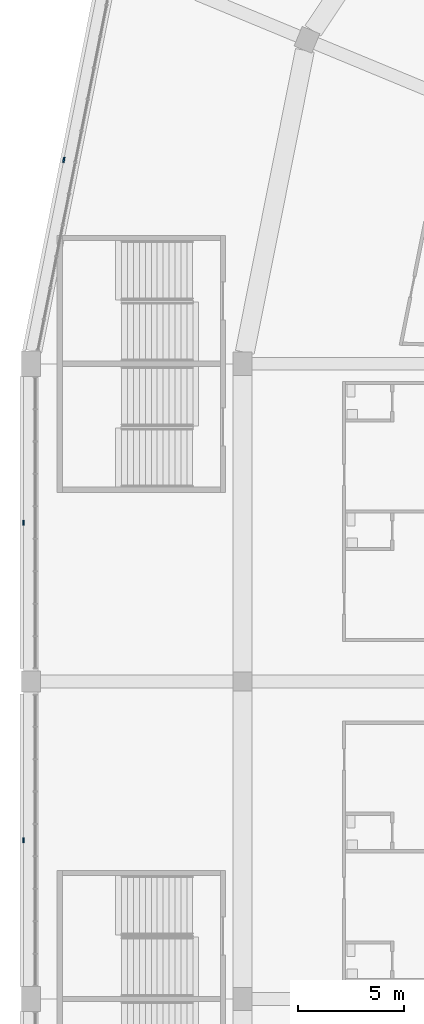
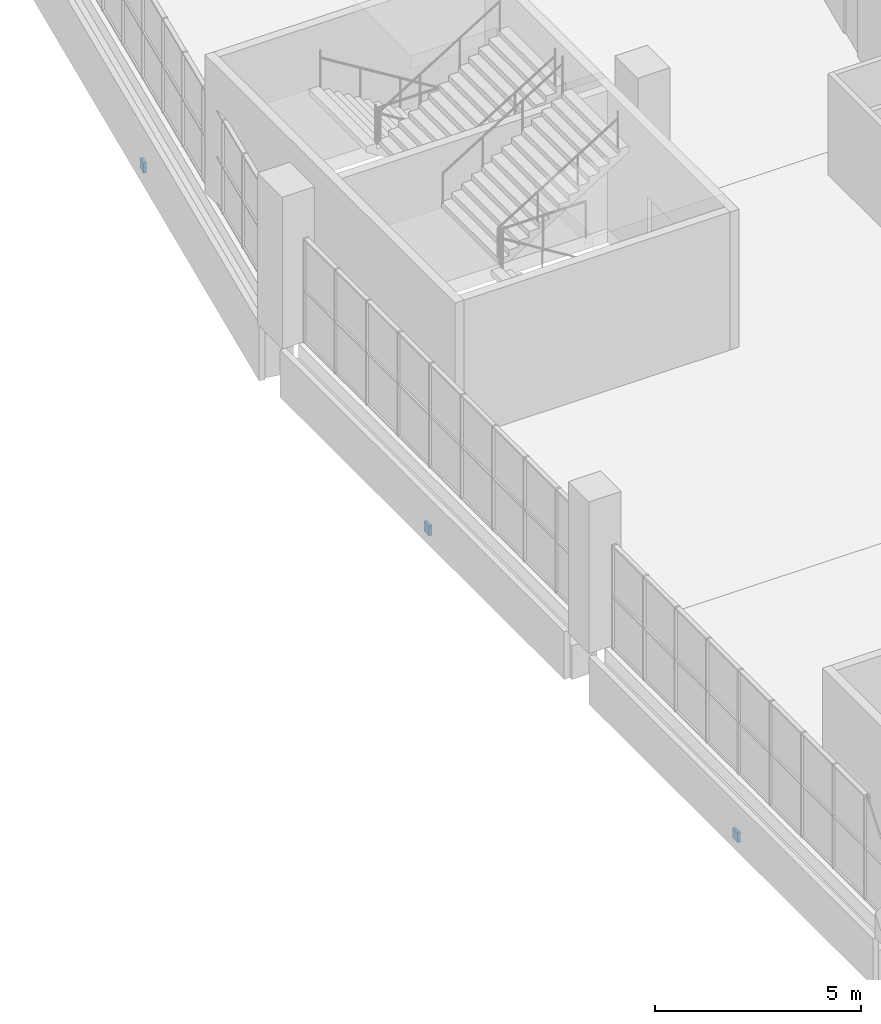
# One storey, part 96 of 199: 3 discrete accessories.
"""IFC4 building model written with IfcOpenShell, lengths in metres."""

from ifc_helpers import new_model, si_unit, direction, frame, origin, origin_2d, place, context, subcontext, project, spatial, rectangle, extrude, material, layer, layer_set, type_object, element, save


model = new_model("IFC4")

# Units and contexts
model_context = context("Model", 3, precision=1e-05, world=origin(), true_north=direction((0.0, 1.0)))
body_context = subcontext(model_context, "Body", "Model", "MODEL_VIEW")
ifc_project = project(units=[si_unit("LENGTHUNIT", "METRE"), si_unit("AREAUNIT", "SQUARE_METRE"), si_unit("VOLUMEUNIT", "CUBIC_METRE"), si_unit("PLANEANGLEUNIT", "RADIAN"), si_unit("MASSUNIT", "GRAM", prefix="KILO")], contexts=[model_context])

# Site, building, storey
site_placement = place(None, origin())
site = spatial("IfcSite", under=ifc_project, at=site_placement, CompositionType="ELEMENT")
building_placement = place(site_placement, origin())
building = spatial("IfcBuilding", under=site, at=building_placement, Name="Ogive Plaza Stadium", CompositionType="ELEMENT")
storey_placement = place(building_placement, frame((0.0, 0.0, 9.0)))
storey = spatial("IfcBuildingStorey", under=building, at=storey_placement, Name="L02", CompositionType="ELEMENT", Elevation=9.0)

# Discrete accessories
ifc_material = material(Name="Steel ASTM A572 Grade 50", Category="steel")
ifc_layer = layer(ifc_material, 0.080078125)
ifc_layer_set = layer_set([ifc_layer], Name="Steel ASTM A572 Grade 50")
discrete_accessory_type = type_object("IfcDiscreteAccessoryType", Name="Spandrel cladding bracket 250x300", PredefinedType="BRACKET", material=ifc_layer_set)
for number, where, z_axis, x_axis, name in (
    (1, (-84.35009765625, 30.0, -1.31005859375), (0.0, 0.0, 1.0), (0.0, 1.0, 0.0), "SPANDREL BRACKET B26 L02"),
    (2, (-84.35009765625, 45.0, -1.31005859375), (0.0, 0.0, 1.0), (0.0, 1.0, 0.0), "SPANDREL BRACKET B27 L02"),
    (3, (-82.440185546875, 62.135498046875, -1.60986328125), (0.0, 0.0, 1.0), (0.195090322016, 0.980785280403, 0.0), "SPANDREL BRACKET B28 L02"),
):
    element("IfcDiscreteAccessory", number, at=place(storey_placement, frame(where, z_axis=z_axis, x_axis=x_axis)), inside=storey, type_object=discrete_accessory_type, Name=name, PredefinedType="BRACKET", context=body_context, shape_type="SweptSolid", body=[
        extrude(rectangle(XDim=0.25, YDim=0.080078125, at=origin_2d()), origin(), (0.0, 0.0, 1.0), 0.300048828125),
    ])

save(model, "model.ifc")
